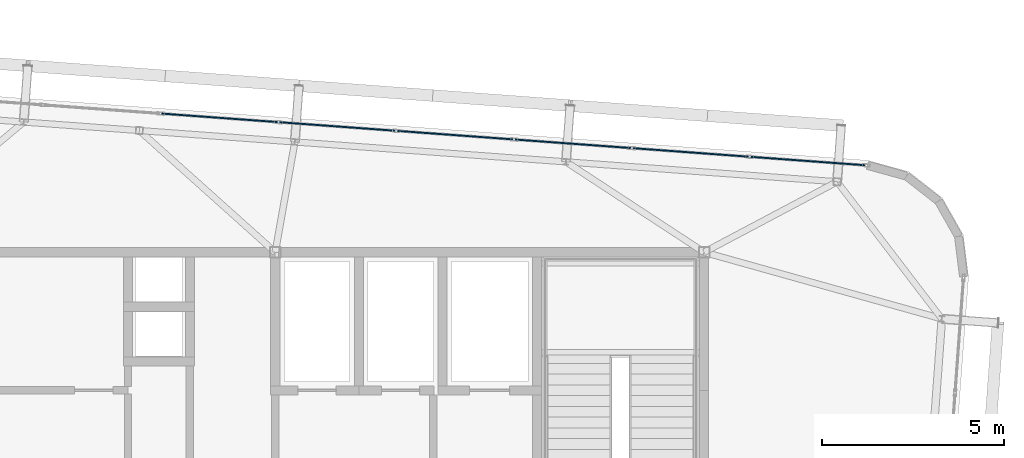
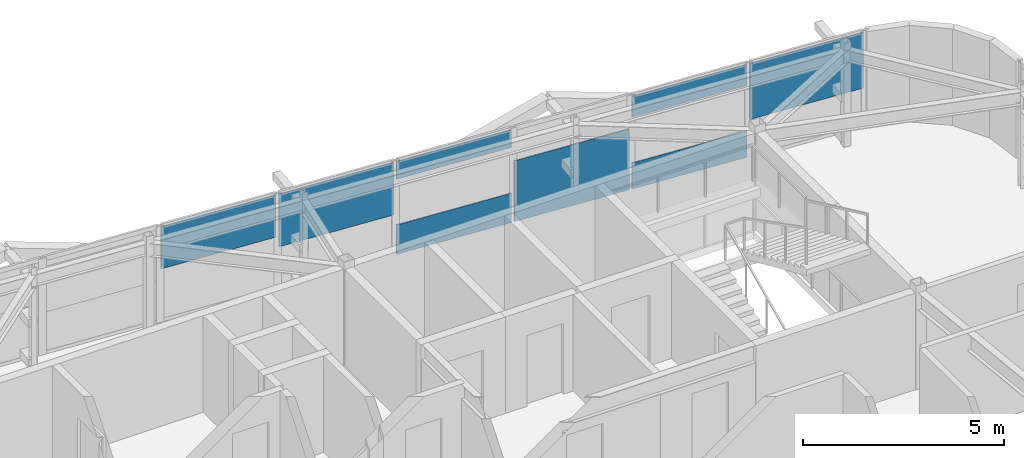
# One storey, part 30 of 42: 8 plates, 1 element without a shape of its own.
"""IFC4 building model written with IfcOpenShell, lengths in metres."""

from ifc_helpers import new_model, si_unit, direction, frame, origin, origin_2d, place, context, subcontext, project, spatial, rectangle, extrude, source, transform, mapped, material, layer, layer_set, type_object, element, aggregate, save


model = new_model("IFC4")

# Units and contexts
model_context = context("Model", 3, precision=1e-05, world=origin(), true_north=direction((0.0, 1.0)))
body_context = subcontext(model_context, "Body", "Model", "MODEL_VIEW")
ifc_project = project(units=[si_unit("LENGTHUNIT", "METRE"), si_unit("AREAUNIT", "SQUARE_METRE"), si_unit("VOLUMEUNIT", "CUBIC_METRE"), si_unit("PLANEANGLEUNIT", "RADIAN"), si_unit("MASSUNIT", "GRAM", prefix="KILO")], contexts=[model_context])

# Site, building, storey
site_placement = place(None, origin())
site = spatial("IfcSite", under=ifc_project, at=site_placement, CompositionType="ELEMENT")
building_placement = place(site_placement, origin())
building = spatial("IfcBuilding", under=site, at=building_placement, Name="Taldren Reach Tower", CompositionType="ELEMENT")
storey_placement = place(building_placement, frame((0.0, 0.0, 214.550048828125)))
storey = spatial("IfcBuildingStorey", under=building, at=storey_placement, Name="L65", CompositionType="ELEMENT", Elevation=214.550048828125)

# Curtain wall, plates
ifc_material_1 = material(Name="Aluminium and Low-E Glass Unitised System", Category="aluminium")
ifc_layer_1 = layer(ifc_material_1, 0.159912109375)
ifc_layer_set_1 = layer_set([ifc_layer_1], Name="Aluminium and Low-E Glass Unitised System")
curtain_wall_type = type_object("IfcCurtainWallType", Name="CW-SYS-6", PredefinedType="NOTDEFINED", material=ifc_layer_set_1)
curtain_wall_placement = place(storey_placement, origin())
curtain_wall = element("IfcCurtainWall", 1, at=curtain_wall_placement, inside=storey, type_object=curtain_wall_type, Name="Unitised curtain wall CW-L65-N", PredefinedType="NOTDEFINED")
ifc_material_2 = material(Name="Acoustic Triple-Laminated IGU", Category="glass")
ifc_layer_2 = layer(ifc_material_2, 0.035888671875)
ifc_layer_set_2 = layer_set([ifc_layer_2], Name="Acoustic Triple-Laminated IGU")
plate_type = type_object("IfcPlateType", Name="CW-PNL-IGU36", PredefinedType="CURTAIN_PANEL", material=ifc_layer_set_2)
shared_shape_1 = source(origin(), body_context, "Body", "SweptSolid", [
    extrude(rectangle(XDim=3.175048828125, YDim=0.035888671875, at=origin_2d()), origin(), (0.0, 0.0, 1.0), 1.271240234375),
])
plate_1_placement = place(storey_placement, frame((37.66748046875, 35.698974609375, 1.5986328125), z_axis=(0.0, 0.0, 1.0), x_axis=(-0.997314476006, 0.073238213716, 0.0)))
plate_1 = element("IfcPlate", 2, at=plate_1_placement, type_object=plate_type, Name="CW-6 panel 6.1 part 1", PredefinedType="CURTAIN_PANEL", context=body_context, shape_type="MappedRepresentation", body=[
    mapped(shared_shape_1, transform((0.0, 0.0, 0.0), scale=1.0)),
])
shared_shape_2 = source(origin(), body_context, "Body", "SweptSolid", [
    extrude(rectangle(XDim=3.175048828125, YDim=0.035888671875, at=origin_2d()), origin(), (0.0, 0.0, 1.0), 1.589599609375),
])
plate_2_placement = place(storey_placement, frame((40.908935546875, 35.4609375, 1.2802734375), z_axis=(0.0, 0.0, 1.0), x_axis=(-0.997314476006, 0.073238213716, 0.0)))
plate_2 = element("IfcPlate", 3, at=plate_2_placement, type_object=plate_type, Name="CW-6 panel 5.1 part 1", PredefinedType="CURTAIN_PANEL", context=body_context, shape_type="MappedRepresentation", body=[
    mapped(shared_shape_2, transform((0.0, 0.0, 0.0), scale=1.0)),
])
shared_shape_3 = source(origin(), body_context, "Body", "SweptSolid", [
    extrude(rectangle(XDim=3.175048828125, YDim=0.035888671875, at=origin_2d()), origin(), (0.0, 0.0, 1.0), 0.89306640625),
])
plate_3_placement = place(storey_placement, frame((44.150146484375, 35.222900390625, 0.059814453125), z_axis=(0.0, 0.0, 1.0), x_axis=(-0.997314476006, 0.073238213716, 0.0)))
plate_3 = element("IfcPlate", 4, at=plate_3_placement, type_object=plate_type, Name="CW-6 panel 4.1 part 1", PredefinedType="CURTAIN_PANEL", context=body_context, shape_type="MappedRepresentation", body=[
    mapped(shared_shape_3, transform((0.0, 0.0, 0.0), scale=1.0)),
])
shared_shape_4 = source(origin(), body_context, "Body", "SweptSolid", [
    extrude(rectangle(XDim=3.175048828125, YDim=0.035888671875, at=origin_2d()), origin(), (0.0, 0.0, 1.0), 0.533935546875),
])
plate_4_placement = place(storey_placement, frame((44.150146484375, 35.222900390625, 2.3359375), z_axis=(0.0, 0.0, 1.0), x_axis=(-0.997314476006, 0.073238213716, 0.0)))
plate_4 = element("IfcPlate", 5, at=plate_4_placement, type_object=plate_type, Name="CW-6 panel 4.1 part 2", PredefinedType="CURTAIN_PANEL", context=body_context, shape_type="MappedRepresentation", body=[
    mapped(shared_shape_4, transform((0.0, 0.0, 0.0), scale=1.0)),
])
shared_shape_5 = source(origin(), body_context, "Body", "SweptSolid", [
    extrude(rectangle(XDim=3.175048828125, YDim=0.035888671875, at=origin_2d()), origin(), (0.0, 0.0, 1.0), 1.84814453125),
])
plate_5_placement = place(storey_placement, frame((47.391357421875, 34.98486328125, 0.059814453125), z_axis=(0.0, 0.0, 1.0), x_axis=(-0.997314476006, 0.073238213716, 0.0)))
plate_5 = element("IfcPlate", 6, at=plate_5_placement, type_object=plate_type, Name="CW-6 panel 3.1 part 1", PredefinedType="CURTAIN_PANEL", context=body_context, shape_type="MappedRepresentation", body=[
    mapped(shared_shape_5, transform((0.0, 0.0, 0.0), scale=1.0)),
])
shared_shape_6 = source(origin(), body_context, "Body", "SweptSolid", [
    extrude(rectangle(XDim=3.175048828125, YDim=0.035888671875, at=origin_2d()), origin(), (0.0, 0.0, 1.0), 0.792236328125),
])
plate_6_placement = place(storey_placement, frame((50.632568359375, 34.746826171875, 0.06005859375), z_axis=(0.0, 0.0, 1.0), x_axis=(-0.997314476006, 0.073238213716, 0.0)))
plate_6 = element("IfcPlate", 7, at=plate_6_placement, type_object=plate_type, Name="CW-6 panel 2.1 part 1", PredefinedType="CURTAIN_PANEL", context=body_context, shape_type="MappedRepresentation", body=[
    mapped(shared_shape_6, transform((0.0, 0.0, 0.0), scale=1.0)),
])
shared_shape_7 = source(origin(), body_context, "Body", "SweptSolid", [
    extrude(rectangle(XDim=3.175048828125, YDim=0.035888671875, at=origin_2d()), origin(), (0.0, 0.0, 1.0), 0.634521484375),
])
plate_7_placement = place(storey_placement, frame((50.632568359375, 34.746826171875, 2.2353515625), z_axis=(0.0, 0.0, 1.0), x_axis=(-0.997314476006, 0.073238213716, 0.0)))
plate_7 = element("IfcPlate", 8, at=plate_7_placement, type_object=plate_type, Name="CW-6 panel 2.1 part 2", PredefinedType="CURTAIN_PANEL", context=body_context, shape_type="MappedRepresentation", body=[
    mapped(shared_shape_7, transform((0.0, 0.0, 0.0), scale=1.0)),
])
shared_shape_8 = source(origin(), body_context, "Body", "SweptSolid", [
    extrude(rectangle(XDim=3.137451171875, YDim=0.035888671875, at=origin_2d()), origin(), (0.0, 0.0, 1.0), 1.6904296875),
])
plate_8_placement = place(storey_placement, frame((53.855224609375, 34.51025390625, 1.179443359375), z_axis=(0.0, 0.0, 1.0), x_axis=(-0.997314476006, 0.073238213716, 0.0)))
plate_8 = element("IfcPlate", 9, at=plate_8_placement, type_object=plate_type, Name="CW-6 panel 1.1 part 1", PredefinedType="CURTAIN_PANEL", context=body_context, shape_type="MappedRepresentation", body=[
    mapped(shared_shape_8, transform((0.0, 0.0, 0.0), scale=1.0)),
])
aggregate(curtain_wall, [plate_8, plate_6, plate_7, plate_5, plate_3, plate_4, plate_2, plate_1])

save(model, "model.ifc")
